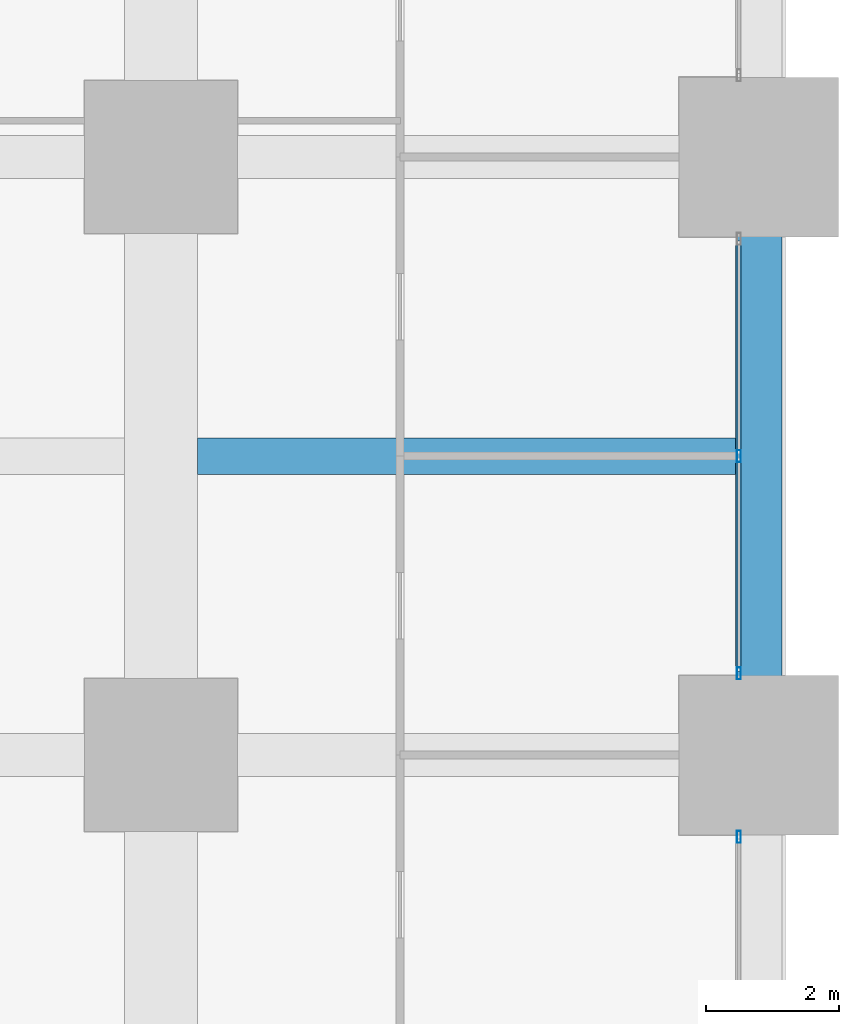
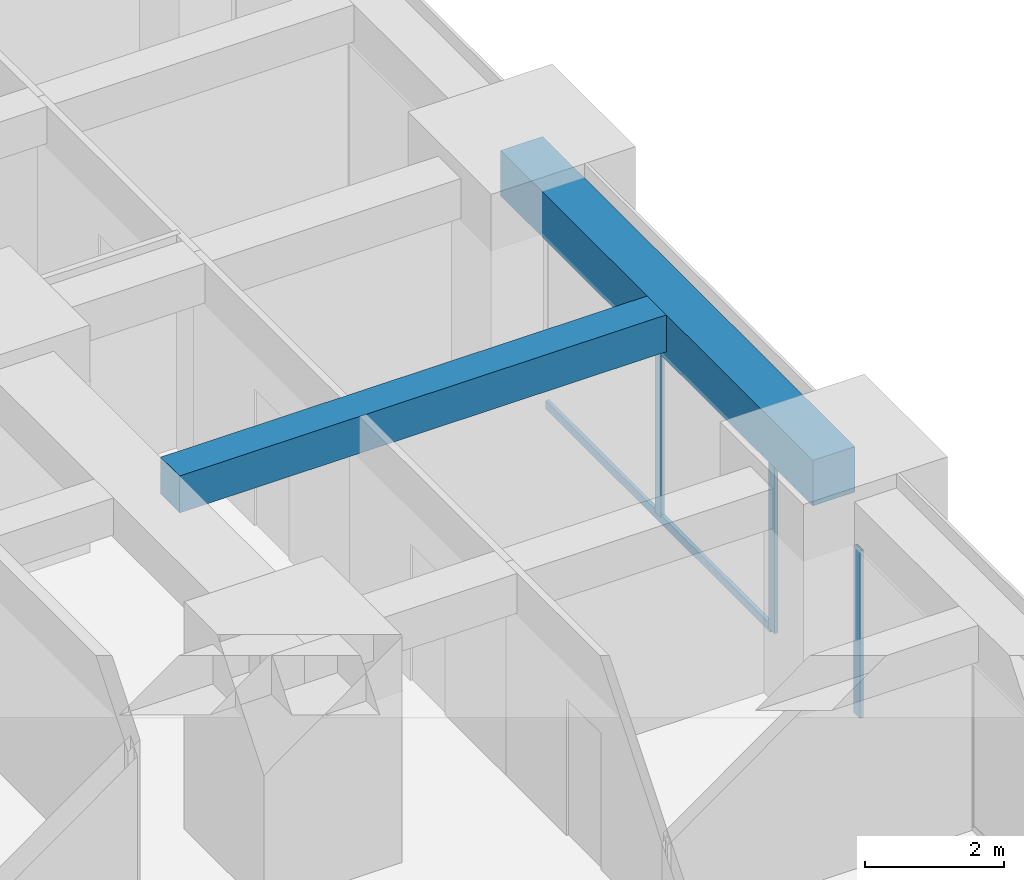
# One storey, part 22 of 45: 4 members, 2 beams, 2 elements without a shape of their own.
"""IFC4 building model written with IfcOpenShell, lengths in metres."""

from ifc_helpers import new_model, si_unit, direction, frame, origin, origin_2d, place, context, subcontext, project, spatial, rectangle, hollow_rectangle, extrude, material, material_profile, profile_set, type_object, element, aggregate, save


model = new_model("IFC4")

# Units and contexts
model_context = context("Model", 3, precision=1e-05, world=origin(), true_north=direction((0.0, 1.0)))
body_context = subcontext(model_context, "Body", "Model", "MODEL_VIEW")
ifc_project = project(units=[si_unit("LENGTHUNIT", "METRE"), si_unit("AREAUNIT", "SQUARE_METRE"), si_unit("VOLUMEUNIT", "CUBIC_METRE"), si_unit("PLANEANGLEUNIT", "RADIAN"), si_unit("MASSUNIT", "GRAM", prefix="KILO")], contexts=[model_context])

# Site, building, storey
site_placement = place(None, origin())
site = spatial("IfcSite", under=ifc_project, at=site_placement, CompositionType="ELEMENT")
building_placement = place(site_placement, origin())
building = spatial("IfcBuilding", under=site, at=building_placement, Name="Zorevar Civic Tower", CompositionType="ELEMENT")
storey_placement = place(building_placement, frame((0.0, 0.0, 27.800048828125)))
storey = spatial("IfcBuildingStorey", under=building, at=storey_placement, Name="L06", CompositionType="ELEMENT", Elevation=27.800048828125)

# Beam
ifc_material_1 = material(Name="Concrete C50/60", Category="concrete")
ifc_material_profile_1 = material_profile(ifc_material_1, rectangle(XDim=0.550048828125, YDim=0.64990234375, at=origin_2d()), Name="RC 550x650")
ifc_profile_set_1 = profile_set([ifc_material_profile_1], Name="Concrete C50/60")
beam_type_1 = type_object("IfcBeamType", Name="Beam RC 550x650", PredefinedType="BEAM", material=ifc_profile_set_1)
beam_1_placement = place(storey_placement, frame((54.550048828125, 31.5, 3.425048828125), z_axis=(1.0, 0.0, 0.0), x_axis=(0.0, 1.0, 0.0)))
element("IfcBeam", 1, at=beam_1_placement, inside=storey, type_object=beam_type_1, Name="Secondary beam L07", PredefinedType="BEAM", context=body_context, shape_type="SweptSolid", body=[
    extrude(rectangle(XDim=0.550048828125, YDim=0.64990234375, at=origin_2d()), origin(), (0.0, 0.0, 1.0), 8.099853515625),
])

# Curtain wall, member
ifc_material_2 = material(Name="Dark grey solar-control glass in black aluminium frame", Category="aluminium")
curtain_wall_type = type_object("IfcCurtainWallType", Name="Curtain wall CW2 low zone", PredefinedType="NOTDEFINED", material=ifc_material_2)
curtain_wall_1_placement = place(storey_placement, origin())
curtain_wall_1 = element("IfcCurtainWall", 2, at=curtain_wall_1_placement, inside=storey, type_object=curtain_wall_type, Name="CW2 L06", PredefinedType="NOTDEFINED")
ifc_material_3 = material(Name="Aluminium, black anodised", Category="aluminium")
ifc_material_profile_2 = material_profile(ifc_material_3, hollow_rectangle(XDim=0.06005859375, YDim=0.179931640625, WallThickness=0.00390625, at=origin_2d()), Name="AL 180x60x4")
ifc_profile_set_2 = profile_set([ifc_material_profile_2], Name="Aluminium, black anodised")
member_type_1 = type_object("IfcMemberType", Name="CW2 mullion AL 180x60x4", PredefinedType="MULLION", material=ifc_profile_set_2)
member_1_placement = place(storey_placement, frame((62.699951171875, 25.77001953125, 0.0), z_axis=(0.0, 0.0, 1.0), x_axis=(-1.0, 0.0, 0.0)))
member_1 = element("IfcMember", 3, at=member_1_placement, type_object=member_type_1, Name="CW2 mullion 3", PredefinedType="MULLION", context=body_context, shape_type="SweptSolid", body=[
    extrude(hollow_rectangle(XDim=0.06005859375, YDim=0.179931640625, WallThickness=0.00390625, at=origin_2d()), origin(), (0.0, 0.0, 1.0), 2.949951171875),
])
aggregate(curtain_wall_1, [member_1])

# Curtain wall, members
curtain_wall_2_placement = place(storey_placement, origin())
curtain_wall_2 = element("IfcCurtainWall", 4, at=curtain_wall_2_placement, inside=storey, type_object=curtain_wall_type, Name="CW2 L06", PredefinedType="NOTDEFINED")
member_2_placement = place(storey_placement, frame((62.699951171875, 28.22998046875, 0.0), z_axis=(0.0, 0.0, 1.0), x_axis=(-1.0, 0.0, 0.0)))
member_2 = element("IfcMember", 5, at=member_2_placement, type_object=member_type_1, Name="CW2 mullion 1", PredefinedType="MULLION", context=body_context, shape_type="SweptSolid", body=[
    extrude(hollow_rectangle(XDim=0.06005859375, YDim=0.179931640625, WallThickness=0.00390625, at=origin_2d()), origin(), (0.0, 0.0, 1.0), 2.949951171875),
])
member_3_placement = place(storey_placement, frame((62.699951171875, 31.5, 0.06005859375), z_axis=(0.0, 0.0, 1.0), x_axis=(-1.0, 0.0, 0.0)))
member_3 = element("IfcMember", 6, at=member_3_placement, type_object=member_type_1, Name="CW2 mullion 2", PredefinedType="MULLION", context=body_context, shape_type="SweptSolid", body=[
    extrude(hollow_rectangle(XDim=0.06005859375, YDim=0.179931640625, WallThickness=0.00390625, at=origin_2d()), origin(), (0.0, 0.0, 1.0), 2.889892578125),
])
ifc_material_4 = material(Name="Aluminium, black anodised", Category="aluminium")
ifc_material_profile_3 = material_profile(ifc_material_4, hollow_rectangle(XDim=0.06005859375, YDim=0.14990234375, WallThickness=0.00390625, at=origin_2d()), Name="AL 150x60x4")
ifc_profile_set_3 = profile_set([ifc_material_profile_3], Name="Aluminium, black anodised")
member_type_2 = type_object("IfcMemberType", Name="CW2 transom AL 150x60x4", PredefinedType="USERDEFINED", material=ifc_profile_set_3)
member_4_placement = place(storey_placement, frame((62.699951171875, 28.260009765625, 0.030029296875), z_axis=(0.0, 1.0, 0.0), x_axis=(-1.0, 0.0, 0.0)))
member_4 = element("IfcMember", 7, at=member_4_placement, type_object=member_type_2, Name="CW2 sill transom", ObjectType="TRANSOM", PredefinedType="USERDEFINED", context=body_context, shape_type="SweptSolid", body=[
    extrude(hollow_rectangle(XDim=0.06005859375, YDim=0.14990234375, WallThickness=0.00390625, at=origin_2d()), origin(), (0.0, 0.0, 1.0), 6.47998046875),
])
aggregate(curtain_wall_2, [member_2, member_3, member_4])

# Beam
ifc_material_5 = material(Name="Concrete C50/60", Category="concrete")
ifc_material_profile_4 = material_profile(ifc_material_5, rectangle(XDim=0.699951171875, YDim=0.800048828125, at=origin_2d()), Name="RC 700x800")
ifc_profile_set_4 = profile_set([ifc_material_profile_4], Name="Concrete C50/60")
beam_type_2 = type_object("IfcBeamType", Name="Edge beam RC 700x800", PredefinedType="SPANDREL", material=ifc_profile_set_4)
beam_2_placement = place(storey_placement, frame((63.0, 27.0, 3.349853515625), z_axis=(0.0, 1.0, 0.0), x_axis=(-1.0, 0.0, 0.0)))
element("IfcBeam", 8, at=beam_2_placement, inside=storey, type_object=beam_type_2, Name="Edge beam L07", PredefinedType="SPANDREL", context=body_context, shape_type="SweptSolid", body=[
    extrude(rectangle(XDim=0.699951171875, YDim=0.800048828125, at=origin_2d()), origin(), (0.0, 0.0, 1.0), 9.0),
])

save(model, "model.ifc")
